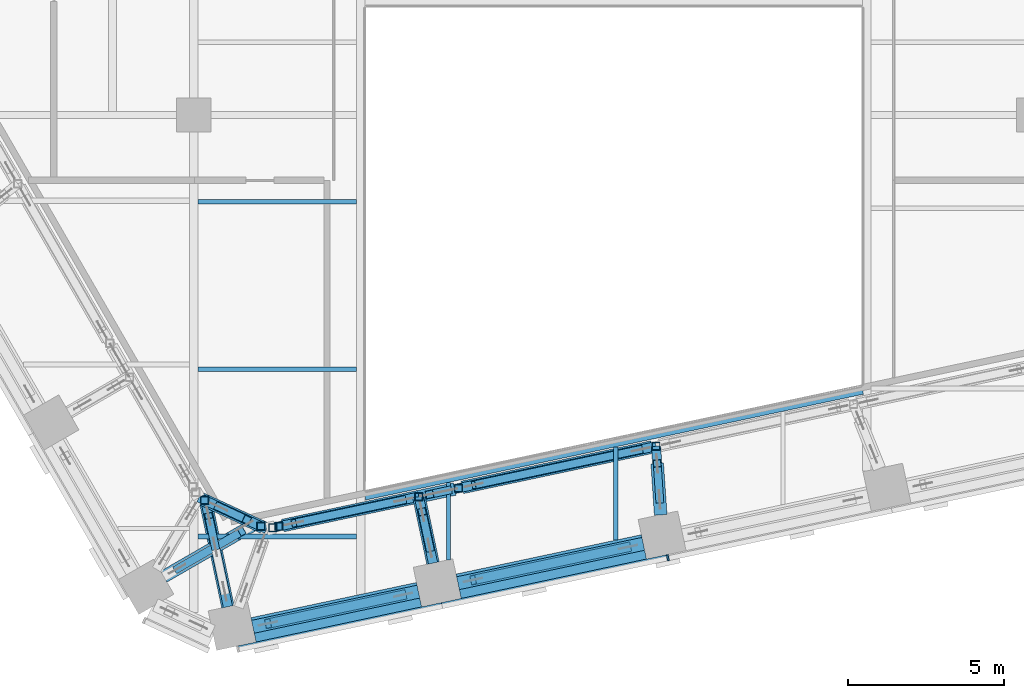
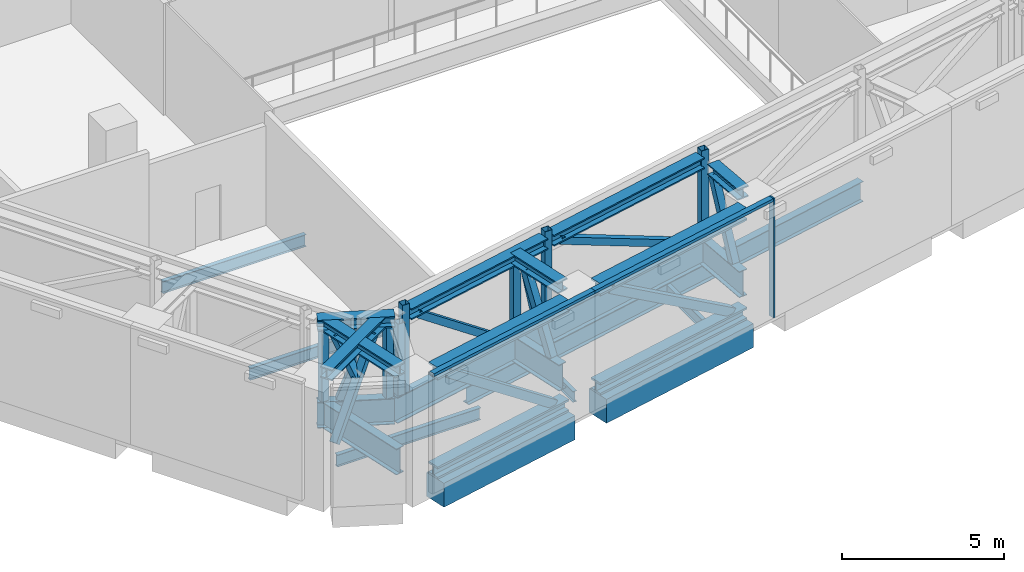
# One storey, part 3 of 26: 37 members, 8 beams, 1 element without a shape of its own.
"""IFC4 building model written with IfcOpenShell, lengths in metres."""

import ifcopenshell
import ifcopenshell.guid

model = None  # the IFC model being written
_history = None  # IfcOwnerHistory: only IFC2X3 demands one
_inside = {}  # id of a spatial element -> (the spatial element, [elements in it])
_under = {}  # id of a project, library or spatial element -> (it, [spatial elements below it])
_declared = {}  # id of a project -> (the project, [libraries it declares])
_typed = {}  # id of a type object -> (the type object, [elements of that type])
_made_of = {}  # id of a material, layer set ... -> (it, [elements and type objects made of it])


def new_model(schema):
    """Start an empty IFC model of exactly this schema.

    Asked for "IFC4X3", IfcOpenShell would pick the latest addendum, in which some entities
    have other attributes; the version numbers below select the first issue.
    IFC2X3 requires an IfcOwnerHistory on every rooted entity: one is made here for all.
    """
    global model, _history
    if schema == "IFC4X3":
        model = ifcopenshell.file(schema_version=(4, 3, 0, 0))
    else:
        model = ifcopenshell.file(schema=schema)
    _inside.clear()
    _under.clear()
    _declared.clear()
    _typed.clear()
    _made_of.clear()
    _history = None
    if model.schema == "IFC2X3":
        org = make("IfcOrganization", Name="unknown")
        user = make(
            "IfcPersonAndOrganization",
            ThePerson=make("IfcPerson", FamilyName="unknown"),
            TheOrganization=org,
        )
        app = make(
            "IfcApplication",
            ApplicationDeveloper=org,
            Version="unknown",
            ApplicationFullName="unknown",
            ApplicationIdentifier="unknown",
        )
        _history = make(
            "IfcOwnerHistory",
            OwningUser=user,
            OwningApplication=app,
            ChangeAction="ADDED",
            CreationDate=0,
        )
    return model


def make(cls, **values):
    """One entity of the class cls with the attributes given. An attribute that is None is left unset."""
    return model.create_entity(
        cls, **{name: value for name, value in values.items() if value is not None}
    )


def rooted(cls, **values):
    """An entity with a GlobalId (a new one), such as an element, a storey or a relation."""
    return make(cls, GlobalId=ifcopenshell.guid.new(), OwnerHistory=_history, **values)


def si_unit(unit_type, name, prefix=None):
    """IfcSIUnit, for example si_unit("LENGTHUNIT", "METRE", prefix="MILLI")."""
    return make("IfcSIUnit", UnitType=unit_type, Prefix=prefix, Name=name)


def assignment(units):
    """IfcUnitAssignment: the units of a project."""
    return None if units is None else make("IfcUnitAssignment", Units=units)


def point(xyz):
    """IfcCartesianPoint."""
    return None if xyz is None else make("IfcCartesianPoint", Coordinates=xyz)


def direction(xyz):
    """IfcDirection."""
    return None if xyz is None else make("IfcDirection", DirectionRatios=xyz)


def frame(location, z_axis=None, x_axis=None):
    """IfcAxis2Placement3D, a coordinate frame: its origin and axes. An axis left out is left unset."""
    return make(
        "IfcAxis2Placement3D",
        Location=point(location),
        Axis=direction(z_axis),
        RefDirection=direction(x_axis),
    )


def frame_2d(location, x_axis=None):
    """IfcAxis2Placement2D, a coordinate frame in the plane: its origin and x axis."""
    return make(
        "IfcAxis2Placement2D", Location=point(location), RefDirection=direction(x_axis)
    )


def origin():
    """The frame at (0, 0, 0) with its axes left unset."""
    return frame((0.0, 0.0, 0.0))


def origin_2d():
    """The frame at (0, 0) in the plane with its x axis left unset."""
    return frame_2d((0.0, 0.0))


def place(relative_to, where):
    """IfcLocalPlacement: puts the frame where relative to a parent placement (None: the world)."""
    return make(
        "IfcLocalPlacement", PlacementRelTo=relative_to, RelativePlacement=where
    )


def context(
    kind, dimensions, precision=None, world=None, true_north=None, identifier=None
):
    """IfcGeometricRepresentationContext, for example the 3D "Model" context."""
    return make(
        "IfcGeometricRepresentationContext",
        ContextIdentifier=identifier,
        ContextType=kind,
        CoordinateSpaceDimension=dimensions,
        Precision=precision,
        WorldCoordinateSystem=world,
        TrueNorth=true_north,
    )


def subcontext(parent, identifier, kind, view, scale=None):
    """IfcGeometricRepresentationSubContext, for example "Body" below "Model"."""
    return make(
        "IfcGeometricRepresentationSubContext",
        ContextIdentifier=identifier,
        ContextType=kind,
        ParentContext=parent,
        TargetScale=scale,
        TargetView=view,
    )


def project(units=None, contexts=None):
    """IfcProject with its units and contexts."""
    return rooted(
        "IfcProject",
        Name="project",
        RepresentationContexts=contexts,
        UnitsInContext=assignment(units),
    )


def spatial(cls, under=None, at=None, **own):
    """A site, building, storey or space (cls), placed at a placement, below another one or the project."""
    s = rooted(cls, ObjectPlacement=at, **own)
    if under is not None:
        _under.setdefault(under.id(), (under, []))[1].append(s)
    return s


def profile(cls, at=None, kind="AREA", **sizes):
    """A parametric profile (cls). Its sizes go by their IFC names, for example OverallWidth=200.0."""
    return make(cls, ProfileType=kind, Position=at, **sizes)


def rectangle(**sizes):
    """IfcRectangleProfileDef."""
    return profile("IfcRectangleProfileDef", **sizes)


def hollow_rectangle(**sizes):
    """IfcRectangleHollowProfileDef."""
    return profile("IfcRectangleHollowProfileDef", **sizes)


def i_section(**sizes):
    """IfcIShapeProfileDef."""
    return profile("IfcIShapeProfileDef", **sizes)


def extrude(swept, where, along, depth):
    """IfcExtrudedAreaSolid: the profile swept, set in the frame where, extruded along a direction by depth."""
    return make(
        "IfcExtrudedAreaSolid",
        SweptArea=swept,
        Position=where,
        ExtrudedDirection=direction(along),
        Depth=depth,
    )


def shape(context_of_items, identifier, shape_type, items):
    """IfcShapeRepresentation: the items that make up one representation, for example the "Body"."""
    return make(
        "IfcShapeRepresentation",
        ContextOfItems=context_of_items,
        RepresentationIdentifier=identifier,
        RepresentationType=shape_type,
        Items=items,
    )


def material(Name=None, Category=None):
    """IfcMaterial."""
    return make("IfcMaterial", Name=Name, Category=Category)


def layer(
    of_material, thickness, ventilated=None, Name=None, Category=None, Priority=None
):
    """IfcMaterialLayer: one layer of a wall or slab, of a material (None: an air gap)."""
    return make(
        "IfcMaterialLayer",
        Material=of_material,
        LayerThickness=thickness,
        IsVentilated=ventilated,
        Name=Name,
        Category=Category,
        Priority=Priority,
    )


def layer_set(layers, Name=None):
    """IfcMaterialLayerSet."""
    return make("IfcMaterialLayerSet", MaterialLayers=layers, LayerSetName=Name)


def material_profile(
    of_material, cross_section, Name=None, Category=None, Priority=None
):
    """IfcMaterialProfile: a cross section and its material."""
    return make(
        "IfcMaterialProfile",
        Name=Name,
        Material=of_material,
        Profile=cross_section,
        Priority=Priority,
        Category=Category,
    )


def profile_set(profiles, Name=None, composite=None):
    """IfcMaterialProfileSet."""
    return make(
        "IfcMaterialProfileSet",
        Name=Name,
        MaterialProfiles=profiles,
        CompositeProfile=composite,
    )


def made_of(thing, what):
    """Note that an element or type object is made of a material, layer set ...; save() writes the relation."""
    if what is not None:
        _made_of.setdefault(what.id(), (what, []))[1].append(thing)
    return thing


def type_object(cls, material=None, **own):
    """A type object (cls), such as IfcWallType, which elements share."""
    return made_of(rooted(cls, **own), material)


def element(
    cls,
    number,
    at=None,
    inside=None,
    cuts=None,
    type_object=None,
    material=None,
    context=None,
    identifier="Body",
    shape_type=None,
    held_by="IfcProductDefinitionShape",
    body=None,
    shapes=None,
    **own,
):
    """One element of the class cls, such as IfcWall. Its Tag is "e" and its number.

    at: its placement. inside: the storey or other place that contains it. cuts: it is an
    opening in that element (IfcRelVoidsElement). A single representation is given by context,
    identifier, shape_type and body (its items); several are given by shapes. held_by: the class
    of the entity that holds the representations. save() writes the other relations.
    """
    e = rooted(cls, Tag="e%d" % number, ObjectPlacement=at, **own)
    if body is not None:
        shapes = [shape(context, identifier, shape_type, body)]
    if shapes is not None:
        e.Representation = make(held_by, Representations=shapes)
    if inside is not None:
        _inside.setdefault(inside.id(), (inside, []))[1].append(e)
    if cuts is not None:
        rooted(
            "IfcRelVoidsElement", RelatingBuildingElement=cuts, RelatedOpeningElement=e
        )
    if type_object is not None:
        _typed.setdefault(type_object.id(), (type_object, []))[1].append(e)
    return made_of(e, material)


def aggregate(whole, parts):
    """IfcRelAggregates: a whole, such as a stair, and the parts it consists of."""
    return rooted("IfcRelAggregates", RelatingObject=whole, RelatedObjects=parts)


def save(model, path):
    """Write the relations noted so far, then the file.

    IfcRelAggregates (storeys below a building ...), IfcRelContainedInSpatialStructure (elements
    in a storey), IfcRelDefinesByType, IfcRelAssociatesMaterial and IfcRelDeclares: one each for
    every whole, place, type object, material and project.
    """
    for whole, parts in _under.values():
        aggregate(whole, parts)
    for where, things in _inside.values():
        rooted(
            "IfcRelContainedInSpatialStructure",
            RelatedElements=things,
            RelatingStructure=where,
        )
    for kind, things in _typed.values():
        rooted("IfcRelDefinesByType", RelatedObjects=things, RelatingType=kind)
    for what, things in _made_of.values():
        rooted("IfcRelAssociatesMaterial", RelatedObjects=things, RelatingMaterial=what)
    for by, libraries in _declared.values():
        rooted("IfcRelDeclares", RelatingContext=by, RelatedDefinitions=libraries)
    model.write(path)


model = new_model("IFC4")

# Units and contexts
model_context = context("Model", 3, precision=1e-05, world=origin(), true_north=direction((0.0, 1.0)))
body_context = subcontext(model_context, "Body", "Model", "MODEL_VIEW")
ifc_project = project(units=[si_unit("LENGTHUNIT", "METRE"), si_unit("AREAUNIT", "SQUARE_METRE"), si_unit("VOLUMEUNIT", "CUBIC_METRE"), si_unit("PLANEANGLEUNIT", "RADIAN"), si_unit("MASSUNIT", "GRAM", prefix="KILO")], contexts=[model_context])

# Site, building, storey
site_placement = place(None, origin())
site = spatial("IfcSite", under=ifc_project, at=site_placement, CompositionType="ELEMENT")
building_placement = place(site_placement, origin())
building = spatial("IfcBuilding", under=site, at=building_placement, Name="Isthmus Gate Tower", CompositionType="ELEMENT")
storey_placement = place(building_placement, frame((0.0, 0.0, 207.300048828125)))
storey = spatial("IfcBuildingStorey", under=building, at=storey_placement, Name="L52", CompositionType="ELEMENT", Elevation=207.300048828125)

# Members
ifc_material_1 = material(Name="Structural steel ASTM A913 Gr 65", Category="steel")
ifc_material_profile_1 = material_profile(ifc_material_1, i_section(OverallWidth=0.42236328125, OverallDepth=0.46337890625, WebThickness=0.04443359375, FlangeThickness=0.072998046875, at=origin_2d()), Name="W14X398")
ifc_profile_set_1 = profile_set([ifc_material_profile_1], Name="Structural steel ASTM A913 Gr 65")
member_type_1 = type_object("IfcMemberType", Name="BELT TRUSS CHORD W14X398", PredefinedType="CHORD", material=ifc_profile_set_1)
for number, where, z_axis, x_axis, name in (
    (1, (0.9501953125, -27.286865234375, 0.231689453125), (-0.978147745624, -0.207911009161, 0.0), (0.207911009161, -0.978147745624, 0.0), "str-belt13-L52-01"),
    (2, (0.9501953125, -27.286865234375, 3.96826171875), (-0.978147745624, -0.207911009161, 0.0), (0.207911009161, -0.978147745624, 0.0), "str-belt13-L52-02"),
):
    element("IfcMember", number, at=place(storey_placement, frame(where, z_axis=z_axis, x_axis=x_axis)), inside=storey, type_object=member_type_1, Name=name, PredefinedType="CHORD", context=body_context, shape_type="SweptSolid", body=[
        extrude(i_section(OverallWidth=0.42236328125, OverallDepth=0.46337890625, WebThickness=0.04443359375, FlangeThickness=0.072998046875, at=origin_2d()), origin(), (0.0, 0.0, 1.0), 6.0908203125),
    ])
for number, where, z_axis, x_axis, name in (
    (3, (-6.279052734375, -28.823486328125, 0.231689453125), (-0.978152350153, -0.207889345303, 0.0), (0.207889345303, -0.978152350153, 0.0), "str-belt14-L52-01"),
    (4, (-6.279052734375, -28.823486328125, 3.96826171875), (-0.978152350153, -0.207889345303, 0.0), (0.207889345303, -0.978152350153, 0.0), "str-belt14-L52-02"),
):
    element("IfcMember", number, at=place(storey_placement, frame(where, z_axis=z_axis, x_axis=x_axis)), inside=storey, type_object=member_type_1, Name=name, PredefinedType="CHORD", context=body_context, shape_type="SweptSolid", body=[
        extrude(i_section(OverallWidth=0.42236328125, OverallDepth=0.46337890625, WebThickness=0.04443359375, FlangeThickness=0.072998046875, at=origin_2d()), origin(), (0.0, 0.0, 1.0), 5.44091796875),
    ])

# Curtain wall, members
ifc_material_2 = material(Name="Aluminium, pale champagne anodised", Category="aluminium")
ifc_layer = layer(ifc_material_2, 0.199951171875)
ifc_layer_set = layer_set([ifc_layer], Name="CW-2 LOUVRE CURTAIN WALL 200 DEEP")
curtain_wall_type = type_object("IfcCurtainWallType", Name="CW-2 LOUVRE CURTAIN WALL 200 DEEP", PredefinedType="NOTDEFINED", material=ifc_layer_set)
curtain_wall_placement = place(storey_placement, origin())
curtain_wall = element("IfcCurtainWall", 5, at=curtain_wall_placement, inside=storey, type_object=curtain_wall_type, Name="CW-2 S L52", PredefinedType="NOTDEFINED")
ifc_material_3 = material(Name="Aluminium, pale champagne anodised", Category="aluminium")
ifc_material_profile_2 = material_profile(ifc_material_3, rectangle(XDim=0.06005859375, YDim=0.199951171875, at=origin_2d()), Name="60x200")
ifc_profile_set_2 = profile_set([ifc_material_profile_2], Name="Aluminium, pale champagne anodised")
member_type_2 = type_object("IfcMemberType", Name="CW-2 MULLION 60 X 200", PredefinedType="MULLION", material=ifc_profile_set_2)
member_1_placement = place(storey_placement, frame((1.740234375, -27.732421875, 0.0), z_axis=(0.0, 0.0, 1.0), x_axis=(0.978147600734, 0.207911690818, 0.0)))
member_1 = element("IfcMember", 6, at=member_1_placement, type_object=member_type_2, Name="CW-2 mullion", PredefinedType="MULLION", context=body_context, shape_type="SweptSolid", body=[
    extrude(rectangle(XDim=0.06005859375, YDim=0.199951171875, at=origin_2d()), origin(), (0.0, 0.0, 1.0), 4.5),
])
ifc_material_4 = material(Name="Aluminium, pale champagne anodised", Category="aluminium")
ifc_material_profile_3 = material_profile(ifc_material_4, rectangle(XDim=0.199951171875, YDim=0.110107421875, at=origin_2d()), Name="200x110")
ifc_profile_set_3 = profile_set([ifc_material_profile_3], Name="Aluminium, pale champagne anodised")
member_type_3 = type_object("IfcMemberType", Name="CW-2 TRANSOM 200 X 110", PredefinedType="USERDEFINED", material=ifc_profile_set_3)
member_2_placement = place(storey_placement, frame((-12.05322265625, -30.664306640625, 4.445068359375), z_axis=(0.97814231579, 0.207936552972, 0.0), x_axis=(-0.207936552972, 0.97814231579, 0.0)))
member_2 = element("IfcMember", 7, at=member_2_placement, type_object=member_type_3, Name="CW-2 transom", ObjectType="TRANSOM", PredefinedType="USERDEFINED", context=body_context, shape_type="SweptSolid", body=[
    extrude(rectangle(XDim=0.199951171875, YDim=0.110107421875, at=origin_2d()), origin(), (0.0, 0.0, 1.0), 6.6806640625),
])
member_3_placement = place(storey_placement, frame((-5.5185546875, -29.275146484375, 4.445068359375), z_axis=(0.978147683684, 0.207911300568, 0.0), x_axis=(-0.207911300568, 0.978147683684, 0.0)))
member_3 = element("IfcMember", 8, at=member_3_placement, type_object=member_type_3, Name="CW-2 transom", ObjectType="TRANSOM", PredefinedType="USERDEFINED", context=body_context, shape_type="SweptSolid", body=[
    extrude(rectangle(XDim=0.199951171875, YDim=0.110107421875, at=origin_2d()), origin(), (0.0, 0.0, 1.0), 7.390869140625),
])
aggregate(curtain_wall, [member_2, member_3, member_1])

# Beams
ifc_material_5 = material(Name="Concrete f'c 60 MPa", Category="concrete")
ifc_material_profile_4 = material_profile(ifc_material_5, rectangle(XDim=0.800048828125, YDim=0.89990234375, at=origin_2d()), Name="RC 800X900")
ifc_profile_set_4 = profile_set([ifc_material_profile_4], Name="Concrete f'c 60 MPa")
beam_type_1 = type_object("IfcBeamType", Name="RC SPANDREL 800 X 900", PredefinedType="SPANDREL", material=ifc_profile_set_4)
beam_1_placement = place(storey_placement, frame((0.970947265625, -27.384765625, -0.449951171875), z_axis=(-0.978146012851, -0.207919161079, 0.0), x_axis=(0.207919161079, -0.978146012851, 0.0)))
element("IfcBeam", 9, at=beam_1_placement, inside=storey, type_object=beam_type_1, Name="str-spandrel-L52-13", PredefinedType="SPANDREL", context=body_context, shape_type="SweptSolid", body=[
    extrude(rectangle(XDim=0.800048828125, YDim=0.89990234375, at=origin_2d()), origin(), (0.0, 0.0, 1.0), 6.090576171875),
])
beam_2_placement = place(storey_placement, frame((-6.25830078125, -28.92138671875, -0.449951171875), z_axis=(-0.978150410773, -0.207898470186, 0.0), x_axis=(0.207898470186, -0.978150410773, 0.0)))
element("IfcBeam", 10, at=beam_2_placement, inside=storey, type_object=beam_type_1, Name="str-spandrel-L52-14", PredefinedType="SPANDREL", context=body_context, shape_type="SweptSolid", body=[
    extrude(rectangle(XDim=0.800048828125, YDim=0.89990234375, at=origin_2d()), origin(), (0.0, 0.0, 1.0), 5.440673828125),
])
ifc_material_6 = material(Name="Structural steel ASTM A992 Gr 50", Category="steel")
ifc_material_profile_5 = material_profile(ifc_material_6, i_section(OverallWidth=0.1396484375, OverallDepth=0.4033203125, WebThickness=0.00634765625, FlangeThickness=0.010986328125, at=origin_2d()), Name="W16X31")
ifc_profile_set_5 = profile_set([ifc_material_profile_5], Name="Structural steel ASTM A992 Gr 50")
beam_type_2 = type_object("IfcBeamType", Name="STEEL FLOOR BEAM W16X31", PredefinedType="JOIST", material=ifc_profile_set_5)
beam_3_placement = place(storey_placement, frame((-5.311279296875, -27.7998046875, -0.501708984375), z_axis=(0.0, 1.0, 0.0), x_axis=(-1.0, 0.0, 0.0)))
element("IfcBeam", 11, at=beam_3_placement, inside=storey, type_object=beam_type_2, Name="str-beam-L52-07-00", PredefinedType="JOIST", context=body_context, shape_type="SweptSolid", body=[
    extrude(i_section(OverallWidth=0.1396484375, OverallDepth=0.4033203125, WebThickness=0.00634765625, FlangeThickness=0.010986328125, at=origin_2d()), origin(), (0.0, 0.0, 1.0), 2.487548828125),
])
beam_4_placement = place(storey_placement, frame((0.06591796875, -27.168212890625, -0.501708984375), z_axis=(0.0, 1.0, 0.0), x_axis=(-1.0, 0.0, 0.0)))
element("IfcBeam", 12, at=beam_4_placement, inside=storey, type_object=beam_type_2, Name="str-beam-L52-07-01", PredefinedType="JOIST", context=body_context, shape_type="SweptSolid", body=[
    extrude(i_section(OverallWidth=0.1396484375, OverallDepth=0.4033203125, WebThickness=0.00634765625, FlangeThickness=0.010986328125, at=origin_2d()), origin(), (0.0, 0.0, 1.0), 2.9990234375),
])
ifc_material_7 = material(Name="Structural steel ASTM A992 Gr 50", Category="steel")
ifc_material_profile_6 = material_profile(ifc_material_7, i_section(OverallWidth=0.15234375, OverallDepth=0.45068359375, WebThickness=0.0078125, FlangeThickness=0.010986328125, at=origin_2d()), Name="W18X35")
ifc_profile_set_6 = profile_set([ifc_material_profile_6], Name="Structural steel ASTM A992 Gr 50")
beam_type_3 = type_object("IfcBeamType", Name="STEEL FLOOR BEAM W18X35", PredefinedType="JOIST", material=ifc_profile_set_6)
for number, where, z_axis, x_axis, name in (
    (13, (-13.36669921875, -27.04736328125, -0.525390625), (1.0, 0.0, 0.0), (0.0, 1.0, 0.0), "str-beam-L52-03-00"),
    (14, (-13.36669921875, -21.67041015625, -0.525390625), (1.0, 0.0, 0.0), (0.0, 1.0, 0.0), "str-beam-L52-03-01"),
    (15, (-13.36669921875, -16.293212890625, -0.525390625), (1.0, 0.0, 0.0), (0.0, 1.0, 0.0), "str-beam-L52-03-02"),
):
    element("IfcBeam", number, at=place(storey_placement, frame(where, z_axis=z_axis, x_axis=x_axis)), inside=storey, type_object=beam_type_3, Name=name, PredefinedType="JOIST", context=body_context, shape_type="SweptSolid", body=[
        extrude(i_section(OverallWidth=0.15234375, OverallDepth=0.45068359375, WebThickness=0.0078125, FlangeThickness=0.010986328125, at=origin_2d()), origin(), (0.0, 0.0, 1.0), 5.10009765625),
    ])
ifc_material_8 = material(Name="Structural steel ASTM A992 Gr 50", Category="steel")
ifc_material_profile_7 = material_profile(ifc_material_8, i_section(OverallWidth=0.2666015625, OverallDepth=0.7587890625, WebThickness=0.014404296875, FlangeThickness=0.01904296875, at=origin_2d()), Name="W30X108")
ifc_profile_set_7 = profile_set([ifc_material_profile_7], Name="Structural steel ASTM A992 Gr 50")
beam_type_4 = type_object("IfcBeamType", Name="STEEL TRIMMER W30X108", PredefinedType="BEAM", material=ifc_profile_set_7)
beam_5_placement = place(storey_placement, frame((-8.0, -25.747314453125, -0.679443359375), z_axis=(0.978147924985, 0.20791016533, 0.0), x_axis=(-0.20791016533, 0.978147924985, 0.0)))
element("IfcBeam", 16, at=beam_5_placement, inside=storey, type_object=beam_type_4, Name="str-trimmer-L52-03", PredefinedType="BEAM", context=body_context, shape_type="SweptSolid", body=[
    extrude(i_section(OverallWidth=0.2666015625, OverallDepth=0.7587890625, WebThickness=0.014404296875, FlangeThickness=0.01904296875, at=origin_2d()), origin(), (0.0, 0.0, 1.0), 16.357421875),
])

# Members
ifc_material_9 = material(Name="Structural steel ASTM A913 Gr 65", Category="steel")
ifc_material_profile_8 = material_profile(ifc_material_9, i_section(OverallWidth=0.406494140625, OverallDepth=0.416015625, WebThickness=0.0302734375, FlangeThickness=0.047607421875, at=origin_2d()), Name="W14X257")
ifc_profile_set_8 = profile_set([ifc_material_profile_8], Name="Structural steel ASTM A913 Gr 65")
member_type_4 = type_object("IfcMemberType", Name="TRANSFER TRUSS CHORD W14X257", PredefinedType="CHORD", material=ifc_profile_set_8)
member_4_placement = place(storey_placement, frame((1.2353515625, -24.175048828125, 3.89208984375), z_axis=(-0.9781430331, -0.207933178684, 0.0), x_axis=(0.207933178684, -0.9781430331, 0.0)))
element("IfcMember", 17, at=member_4_placement, inside=storey, type_object=member_type_4, Name="str-ring05-L52-16", PredefinedType="CHORD", context=body_context, shape_type="SweptSolid", body=[
    extrude(i_section(OverallWidth=0.406494140625, OverallDepth=0.416015625, WebThickness=0.0302734375, FlangeThickness=0.047607421875, at=origin_2d()), origin(), (0.0, 0.0, 1.0), 6.238037109375),
])
member_5_placement = place(storey_placement, frame((-5.11474609375, -25.52490234375, 3.89208984375), z_axis=(-0.978147985281, -0.207909881655, 0.0), x_axis=(0.207909881655, -0.978147985281, 0.0)))
element("IfcMember", 18, at=member_5_placement, inside=storey, type_object=member_type_4, Name="str-ring05-L52-17", PredefinedType="CHORD", context=body_context, shape_type="SweptSolid", body=[
    extrude(i_section(OverallWidth=0.406494140625, OverallDepth=0.416015625, WebThickness=0.0302734375, FlangeThickness=0.047607421875, at=origin_2d()), origin(), (0.0, 0.0, 1.0), 5.654052734375),
])
member_6_placement = place(storey_placement, frame((-11.160888671875, -26.81005859375, 3.89208984375), z_axis=(-0.907236677467, 0.420620507178, 0.0), x_axis=(-0.420620507178, -0.907236677467, 0.0)))
element("IfcMember", 19, at=member_6_placement, inside=storey, type_object=member_type_4, Name="str-ring06-L52-04", PredefinedType="CHORD", context=body_context, shape_type="SweptSolid", body=[
    extrude(i_section(OverallWidth=0.406494140625, OverallDepth=0.416015625, WebThickness=0.0302734375, FlangeThickness=0.047607421875, at=origin_2d()), origin(), (0.0, 0.0, 1.0), 2.397216796875),
])
member_7_placement = place(storey_placement, frame((-14.466796875, -28.342529296875, 3.89208984375), z_axis=(0.866038511948, 0.499977295307, 0.0), x_axis=(-0.499977295307, 0.866038511948, 0.0)))
element("IfcMember", 20, at=member_7_placement, inside=storey, type_object=member_type_4, Name="str-link14-L52-02", PredefinedType="CHORD", context=body_context, shape_type="SweptSolid", body=[
    extrude(i_section(OverallWidth=0.406494140625, OverallDepth=0.416015625, WebThickness=0.0302734375, FlangeThickness=0.047607421875, at=origin_2d()), origin(), (0.0, 0.0, 1.0), 3.400146484375),
])
member_8_placement = place(storey_placement, frame((-12.403076171875, -29.307373046875, 3.89208984375), z_axis=(-0.207902319596, 0.978149592602, 0.0), x_axis=(-0.978149592602, -0.207902319596, 0.0)))
element("IfcMember", 21, at=member_8_placement, inside=storey, type_object=member_type_4, Name="str-link15-L52-02", PredefinedType="CHORD", context=body_context, shape_type="SweptSolid", body=[
    extrude(i_section(OverallWidth=0.406494140625, OverallDepth=0.416015625, WebThickness=0.0302734375, FlangeThickness=0.047607421875, at=origin_2d()), origin(), (0.0, 0.0, 1.0), 3.4853515625),
])
member_9_placement = place(storey_placement, frame((-5.8095703125, -27.90576171875, 3.89208984375), z_axis=(-0.207880142719, 0.978154305957, 0.0), x_axis=(-0.978154305957, -0.207880142719, 0.0)))
element("IfcMember", 22, at=member_9_placement, inside=storey, type_object=member_type_4, Name="str-link16-L52-02", PredefinedType="CHORD", context=body_context, shape_type="SweptSolid", body=[
    extrude(i_section(OverallWidth=0.406494140625, OverallDepth=0.416015625, WebThickness=0.0302734375, FlangeThickness=0.047607421875, at=origin_2d()), origin(), (0.0, 0.0, 1.0), 2.184326171875),
])
member_10_placement = place(storey_placement, frame((1.510498046875, -26.3564453125, 3.89208984375), z_axis=(-0.068053878799, 0.997681647411, 0.0), x_axis=(-0.997681647411, -0.068053878799, 0.0)))
element("IfcMember", 23, at=member_10_placement, inside=storey, type_object=member_type_4, Name="str-link17-L52-02", PredefinedType="CHORD", context=body_context, shape_type="SweptSolid", body=[
    extrude(i_section(OverallWidth=0.406494140625, OverallDepth=0.416015625, WebThickness=0.0302734375, FlangeThickness=0.047607421875, at=origin_2d()), origin(), (0.0, 0.0, 1.0), 1.657470703125),
])
ifc_material_10 = material(Name="Structural steel ASTM A913 Gr 65", Category="steel")
ifc_material_profile_9 = material_profile(ifc_material_10, i_section(OverallWidth=0.29833984375, OverallDepth=0.981201171875, WebThickness=0.015869140625, FlangeThickness=0.025390625, at=origin_2d()), Name="W40X167")
ifc_profile_set_9 = profile_set([ifc_material_profile_9], Name="Structural steel ASTM A913 Gr 65")
member_type_5 = type_object("IfcMemberType", Name="TRANSFER TRUSS CHORD W40X167", PredefinedType="CHORD", material=ifc_profile_set_9)
member_11_placement = place(storey_placement, frame((1.359619140625, -24.148681640625, 0.490478515625), z_axis=(-0.978144439396, -0.207926563189, 0.0), x_axis=(0.207926563189, -0.978144439396, 0.0)))
element("IfcMember", 24, at=member_11_placement, inside=storey, type_object=member_type_5, Name="str-ring05-L52-11", PredefinedType="CHORD", context=body_context, shape_type="SweptSolid", body=[
    extrude(i_section(OverallWidth=0.29833984375, OverallDepth=0.981201171875, WebThickness=0.015869140625, FlangeThickness=0.025390625, at=origin_2d()), origin(), (0.0, 0.0, 1.0), 7.794189453125),
])
member_12_placement = place(storey_placement, frame((-6.26416015625, -25.769287109375, 0.490478515625), z_axis=(-0.978150049982, -0.207900167676, 0.0), x_axis=(0.207900167676, -0.978150049982, 0.0)))
element("IfcMember", 25, at=member_12_placement, inside=storey, type_object=member_type_5, Name="str-ring05-L52-12", PredefinedType="CHORD", context=body_context, shape_type="SweptSolid", body=[
    extrude(i_section(OverallWidth=0.29833984375, OverallDepth=0.981201171875, WebThickness=0.015869140625, FlangeThickness=0.025390625, at=origin_2d()), origin(), (0.0, 0.0, 1.0), 5.006103515625),
])
member_13_placement = place(storey_placement, frame((-11.160888671875, -26.81005859375, 0.490478515625), z_axis=(-0.907236677467, 0.420620507178, 0.0), x_axis=(-0.420620507178, -0.907236677467, 0.0)))
element("IfcMember", 26, at=member_13_placement, inside=storey, type_object=member_type_5, Name="str-ring06-L52-03", PredefinedType="CHORD", context=body_context, shape_type="SweptSolid", body=[
    extrude(i_section(OverallWidth=0.29833984375, OverallDepth=0.981201171875, WebThickness=0.015869140625, FlangeThickness=0.025390625, at=origin_2d()), origin(), (0.0, 0.0, 1.0), 2.397216796875),
])
member_14_placement = place(storey_placement, frame((-12.403076171875, -29.307373046875, 0.490478515625), z_axis=(-0.207902319596, 0.978149592602, 0.0), x_axis=(-0.978149592602, -0.207902319596, 0.0)))
element("IfcMember", 27, at=member_14_placement, inside=storey, type_object=member_type_5, Name="str-link15-L52-01", PredefinedType="CHORD", context=body_context, shape_type="SweptSolid", body=[
    extrude(i_section(OverallWidth=0.29833984375, OverallDepth=0.981201171875, WebThickness=0.015869140625, FlangeThickness=0.025390625, at=origin_2d()), origin(), (0.0, 0.0, 1.0), 3.4853515625),
])
member_15_placement = place(storey_placement, frame((-5.8095703125, -27.90576171875, 0.490478515625), z_axis=(-0.207880142719, 0.978154305957, 0.0), x_axis=(-0.978154305957, -0.207880142719, 0.0)))
element("IfcMember", 28, at=member_15_placement, inside=storey, type_object=member_type_5, Name="str-link16-L52-01", PredefinedType="CHORD", context=body_context, shape_type="SweptSolid", body=[
    extrude(i_section(OverallWidth=0.29833984375, OverallDepth=0.981201171875, WebThickness=0.015869140625, FlangeThickness=0.025390625, at=origin_2d()), origin(), (0.0, 0.0, 1.0), 2.184326171875),
])
member_16_placement = place(storey_placement, frame((1.510498046875, -26.3564453125, 0.490478515625), z_axis=(-0.068071308504, 0.997680458343, 0.0), x_axis=(-0.997680458343, -0.068071308504, 0.0)))
element("IfcMember", 29, at=member_16_placement, inside=storey, type_object=member_type_5, Name="str-link17-L52-01", PredefinedType="CHORD", context=body_context, shape_type="SweptSolid", body=[
    extrude(i_section(OverallWidth=0.29833984375, OverallDepth=0.981201171875, WebThickness=0.015869140625, FlangeThickness=0.025390625, at=origin_2d()), origin(), (0.0, 0.0, 1.0), 2.212890625),
])
ifc_material_11 = material(Name="Structural steel ASTM A500 Gr C", Category="steel")
ifc_material_profile_10 = material_profile(ifc_material_11, hollow_rectangle(XDim=0.25390625, YDim=0.25390625, WallThickness=0.01171875, at=origin_2d()), Name="HSS10X10X1/2")
ifc_profile_set_10 = profile_set([ifc_material_profile_10], Name="Structural steel ASTM A500 Gr C")
member_type_6 = type_object("IfcMemberType", Name="TRANSFER TRUSS DIAGONAL HSS10X10X1/2", PredefinedType="BRACE", material=ifc_profile_set_10)
member_17_placement = place(storey_placement, frame((0.870361328125, -24.252685546875, 0.98095703125), z_axis=(-0.877599278116, -0.186544190508, 0.441611562392), x_axis=(0.20791670864, -0.978146534149, 0.0)))
element("IfcMember", 30, at=member_17_placement, inside=storey, type_object=member_type_6, Name="str-ring05-L52-21", PredefinedType="BRACE", context=body_context, shape_type="SweptSolid", body=[
    extrude(hollow_rectangle(XDim=0.25390625, YDim=0.25390625, WallThickness=0.01171875, at=origin_2d()), origin(), (0.0, 0.0, 1.0), 6.12109375),
])
member_18_placement = place(storey_placement, frame((-5.333984375, -25.571533203125, 0.98095703125), z_axis=(-0.211964991064, -0.04505578637, 0.976238095281), x_axis=(0.207917150959, -0.978146440129, 0.0)))
element("IfcMember", 31, at=member_18_placement, inside=storey, type_object=member_type_6, Name="str-ring05-L52-22", PredefinedType="BRACE", context=body_context, shape_type="SweptSolid", body=[
    extrude(hollow_rectangle(XDim=0.25390625, YDim=0.25390625, WallThickness=0.01171875, at=origin_2d()), origin(), (0.0, 0.0, 1.0), 2.768798828125),
])
member_19_placement = place(storey_placement, frame((-6.753173828125, -25.873046875, 0.98095703125), z_axis=(-0.782672883005, -0.166361325007, 0.59978918609), x_axis=(0.207910576498, -0.978147837589, 0.0)))
element("IfcMember", 32, at=member_19_placement, inside=storey, type_object=member_type_6, Name="str-ring05-L52-23", PredefinedType="BRACE", context=body_context, shape_type="SweptSolid", body=[
    extrude(hollow_rectangle(XDim=0.25390625, YDim=0.25390625, WallThickness=0.01171875, at=origin_2d()), origin(), (0.0, 0.0, 1.0), 4.5068359375),
])
member_20_placement = place(storey_placement, frame((-12.700439453125, -26.09619140625, 0.98095703125), z_axis=(0.313951786874, -0.145578723306, 0.938211655672), x_axis=(0.420672407435, 0.907212613241, 0.0)))
element("IfcMember", 33, at=member_20_placement, inside=storey, type_object=member_type_6, Name="str-ring06-L52-05", PredefinedType="BRACE", context=body_context, shape_type="SweptSolid", body=[
    extrude(hollow_rectangle(XDim=0.25390625, YDim=0.25390625, WallThickness=0.01171875, at=origin_2d()), origin(), (0.0, 0.0, 1.0), 2.881103515625),
])
member_21_placement = place(storey_placement, frame((-14.033935546875, -28.092529296875, 0.98095703125), z_axis=(0.575014892417, 0.331947168926, 0.747776002918), x_axis=(-0.499957262057, 0.866050077142, 0.0)))
element("IfcMember", 34, at=member_21_placement, inside=storey, type_object=member_type_6, Name="str-link14-L52-03", PredefinedType="BRACE", context=body_context, shape_type="SweptSolid", body=[
    extrude(hollow_rectangle(XDim=0.25390625, YDim=0.25390625, WallThickness=0.01171875, at=origin_2d()), origin(), (0.0, 0.0, 1.0), 3.614990234375),
])
member_22_placement = place(storey_placement, frame((-5.91357421875, -27.416748046875, 0.98095703125), z_axis=(-0.083470483924, 0.392534634509, 0.915941722504), x_axis=(-0.978130027039, -0.207994351377, 0.0)))
element("IfcMember", 35, at=member_22_placement, inside=storey, type_object=member_type_6, Name="str-link16-L52-03", PredefinedType="BRACE", context=body_context, shape_type="SweptSolid", body=[
    extrude(hollow_rectangle(XDim=0.25390625, YDim=0.25390625, WallThickness=0.01171875, at=origin_2d()), origin(), (0.0, 0.0, 1.0), 2.951171875),
])
member_23_placement = place(storey_placement, frame((1.4765625, -25.857666015625, 0.98095703125), z_axis=(-0.0268175492, 0.392715194162, 0.919269054918), x_axis=(-0.997676529798, -0.068128862394, 0.0)))
element("IfcMember", 36, at=member_23_placement, inside=storey, type_object=member_type_6, Name="str-link17-L52-03", PredefinedType="BRACE", context=body_context, shape_type="SweptSolid", body=[
    extrude(hollow_rectangle(XDim=0.25390625, YDim=0.25390625, WallThickness=0.01171875, at=origin_2d()), origin(), (0.0, 0.0, 1.0), 2.9404296875),
])
member_24_placement = place(storey_placement, frame((-12.811279296875, -27.38720703125, 2.572265625), z_axis=(-0.140643380351, 0.661993841999, 0.736195349564), x_axis=(-0.978167956207, -0.207815902784, 0.0)))
element("IfcMember", 37, at=member_24_placement, inside=storey, type_object=member_type_6, Name="str-link15-L52-03b", PredefinedType="BRACE", context=body_context, shape_type="SweptSolid", body=[
    extrude(hollow_rectangle(XDim=0.25390625, YDim=0.25390625, WallThickness=0.01171875, at=origin_2d()), origin(), (0.0, 0.0, 1.0), 1.51025390625),
])
ifc_material_12 = material(Name="Structural steel ASTM A500 Gr C", Category="steel")
ifc_material_profile_11 = material_profile(ifc_material_12, hollow_rectangle(XDim=0.25390625, YDim=0.25390625, WallThickness=0.01171875, at=origin_2d()), Name="HSS10X10X1/2")
ifc_profile_set_11 = profile_set([ifc_material_profile_11], Name="Structural steel ASTM A500 Gr C")
member_type_7 = type_object("IfcMemberType", Name="TRANSFER TRUSS POST HSS10X10X1/2", PredefinedType="POST", material=ifc_profile_set_11)
for number, where, z_axis, x_axis, name in (
    (38, (1.359619140625, -24.148681640625, 0.98095703125), (0.0, 0.0, 1.0), (1.0, 0.0, 0.0), "str-ring05-L52-04"),
    (39, (-4.990478515625, -25.49853515625, 0.98095703125), (0.0, 0.0, 1.0), (1.0, 0.0, 0.0), "str-ring05-L52-05"),
):
    element("IfcMember", number, at=place(storey_placement, frame(where, z_axis=z_axis, x_axis=x_axis)), inside=storey, type_object=member_type_7, Name=name, PredefinedType="POST", context=body_context, shape_type="SweptSolid", body=[
        extrude(hollow_rectangle(XDim=0.25390625, YDim=0.25390625, WallThickness=0.01171875, at=origin_2d()), origin(), (0.0, 0.0, 1.0), 3.319091796875),
    ])
member_25_placement = place(storey_placement, frame((-6.26416015625, -25.769287109375, 0.98095703125), z_axis=(0.0, 0.0, 1.0), x_axis=(1.0, 0.0, 0.0)))
element("IfcMember", 40, at=member_25_placement, inside=storey, type_object=member_type_7, Name="str-ring05-L52-06", PredefinedType="POST", context=body_context, shape_type="SweptSolid", body=[
    extrude(hollow_rectangle(XDim=0.25390625, YDim=0.25390625, WallThickness=0.01171875, at=origin_2d()), origin(), (0.0, 0.0, 1.0), 2.703125),
])
member_26_placement = place(storey_placement, frame((-10.76953125, -26.726806640625, 0.98095703125), z_axis=(0.0, 0.0, 1.0), x_axis=(1.0, 0.0, 0.0)))
element("IfcMember", 41, at=member_26_placement, inside=storey, type_object=member_type_7, Name="str-ring05-L52-07", PredefinedType="POST", context=body_context, shape_type="SweptSolid", body=[
    extrude(hollow_rectangle(XDim=0.25390625, YDim=0.25390625, WallThickness=0.01171875, at=origin_2d()), origin(), (0.0, 0.0, 1.0), 3.319091796875),
])
for number, where, z_axis, x_axis, name in (
    (42, (-10.965087890625, -26.768310546875, 0.98095703125), (0.0, 0.0, 1.0), (1.0, 0.0, 0.0), "str-ring05-L52-08"),
    (43, (-11.34228515625, -26.725830078125, 0.98095703125), (0.0, 0.0, 1.0), (1.0, 0.0, 0.0), "str-ring06-L52-01"),
    (44, (-13.154052734375, -25.885986328125, 0.98095703125), (0.0, 0.0, 1.0), (1.0, 0.0, 0.0), "str-ring06-L52-02"),
):
    element("IfcMember", number, at=place(storey_placement, frame(where, z_axis=z_axis, x_axis=x_axis)), inside=storey, type_object=member_type_7, Name=name, PredefinedType="POST", context=body_context, shape_type="SweptSolid", body=[
        extrude(hollow_rectangle(XDim=0.25390625, YDim=0.25390625, WallThickness=0.01171875, at=origin_2d()), origin(), (0.0, 0.0, 1.0), 2.703125),
    ])
ifc_material_13 = material(Name="Structural steel ASTM A500 Gr C", Category="steel")
ifc_material_profile_12 = material_profile(ifc_material_13, hollow_rectangle(XDim=0.3046875, YDim=0.3046875, WallThickness=0.014892578125, at=origin_2d()), Name="HSS12X12X5/8")
ifc_profile_set_12 = profile_set([ifc_material_profile_12], Name="Structural steel ASTM A500 Gr C")
member_type_8 = type_object("IfcMemberType", Name="TRUSS DIAGONAL HSS12X12X5/8", PredefinedType="BRACE", material=ifc_profile_set_12)
member_27_placement = place(storey_placement, frame((0.461181640625, -27.390869140625, 0.46337890625), z_axis=(-0.822756069614, -0.174869953019, 0.54082617304), x_axis=(0.20789775869, -0.978150561995, 0.0)))
element("IfcMember", 45, at=member_27_placement, inside=storey, type_object=member_type_8, Name="str-belt13-L52-03", PredefinedType="BRACE", context=body_context, shape_type="SweptSolid", body=[
    extrude(hollow_rectangle(XDim=0.3046875, YDim=0.3046875, WallThickness=0.014892578125, at=origin_2d()), origin(), (0.0, 0.0, 1.0), 6.05224609375),
])
member_28_placement = place(storey_placement, frame((-6.76806640625, -28.927490234375, 0.46337890625), z_axis=(-0.787375010532, -0.167370295067, 0.593319287669), x_axis=(0.207921877087, -0.97814543552, 0.0)))
element("IfcMember", 46, at=member_28_placement, inside=storey, type_object=member_type_8, Name="str-belt14-L52-03", PredefinedType="BRACE", context=body_context, shape_type="SweptSolid", body=[
    extrude(hollow_rectangle(XDim=0.3046875, YDim=0.3046875, WallThickness=0.014892578125, at=origin_2d()), origin(), (0.0, 0.0, 1.0), 5.516845703125),
])

save(model, "model.ifc")
